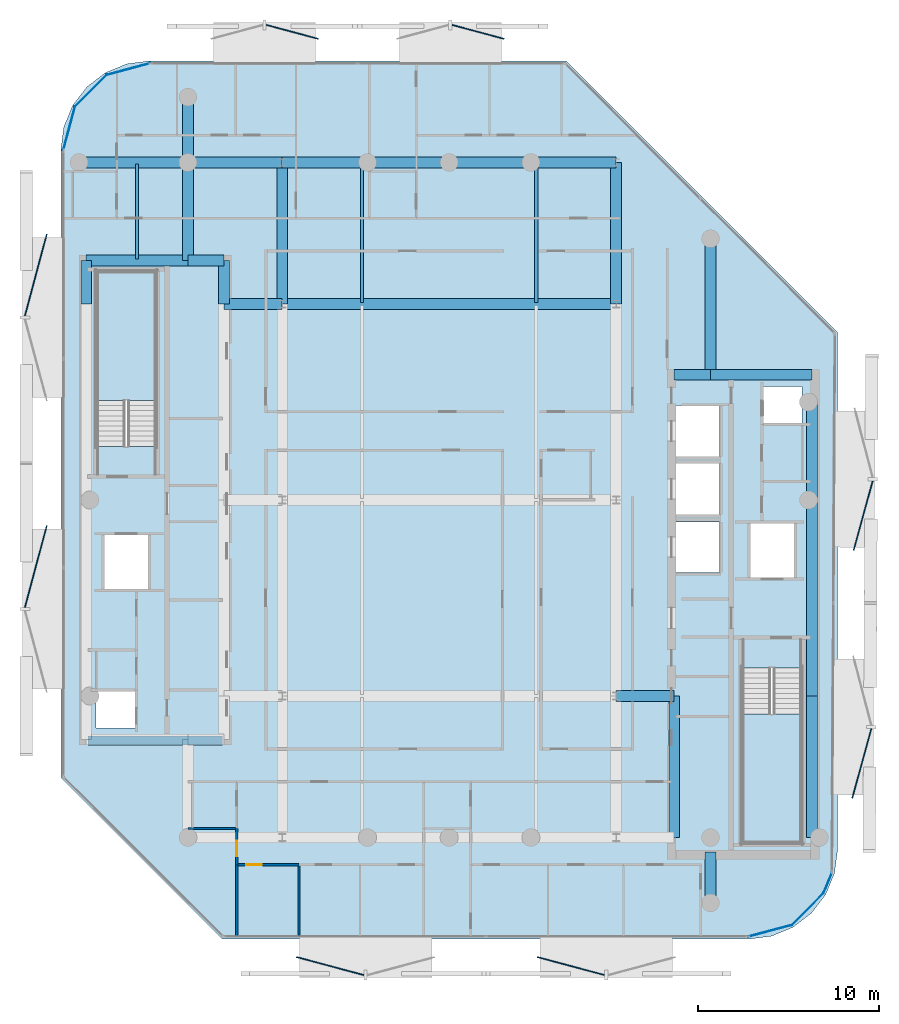
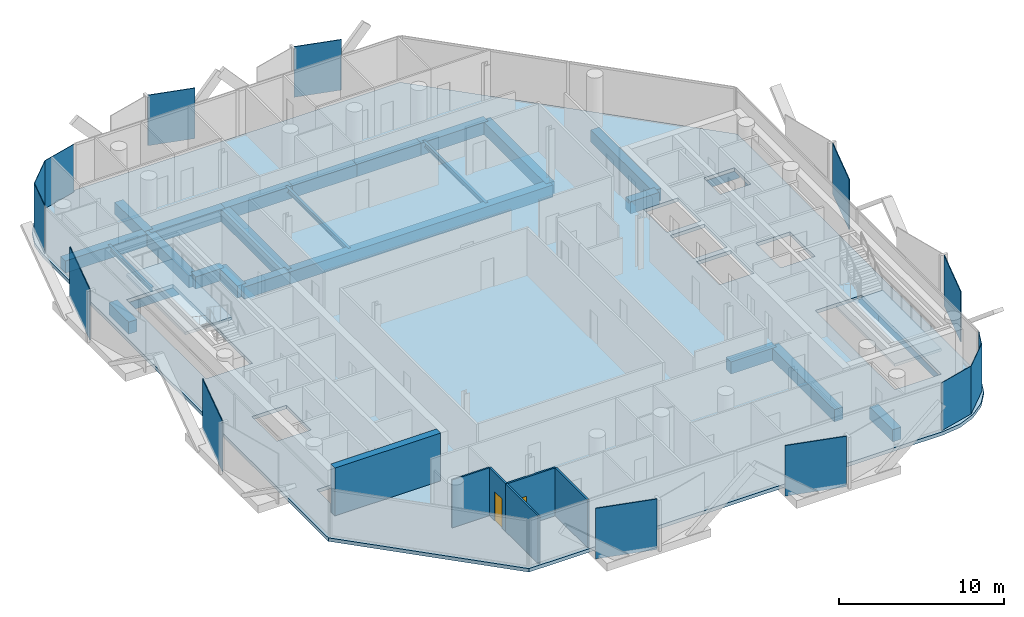
# One storey, part 3 of 17: 28 beams, 14 plates, 6 walls, 3 slabs, 2 doors, 2 openings, 2 elements without a shape of their own.
"""IFC4 building model written with IfcOpenShell, lengths in metres."""

from ifc_helpers import new_model, si_unit, direction, frame, frame_2d, origin, origin_2d, place, context, subcontext, project, spatial, polyline, rectangle, i_section, outline, extrude, material, layer, layer_set, material_profile, profile_set, type_object, element, fill, aggregate, save


model = new_model("IFC4")

# Units and contexts
model_context = context("Model", 3, precision=1e-05, world=origin(), true_north=direction((0.0, 1.0)))
body_context = subcontext(model_context, "Body", "Model", "MODEL_VIEW")
ifc_project = project(units=[si_unit("LENGTHUNIT", "METRE"), si_unit("AREAUNIT", "SQUARE_METRE"), si_unit("VOLUMEUNIT", "CUBIC_METRE"), si_unit("PLANEANGLEUNIT", "RADIAN"), si_unit("MASSUNIT", "GRAM", prefix="KILO")], contexts=[model_context])

# Site, building, storey
site_placement = place(None, origin())
site = spatial("IfcSite", under=ifc_project, at=site_placement, CompositionType="ELEMENT")
building_placement = place(site_placement, origin())
building = spatial("IfcBuilding", under=site, at=building_placement, Name="Khairoan Windgate Tower", CompositionType="ELEMENT")
storey_placement = place(building_placement, frame((0.0, 0.0, 308.0)))
storey = spatial("IfcBuildingStorey", under=building, at=storey_placement, Name="L74", CompositionType="ELEMENT", Elevation=308.0)

# Beams
ifc_material_1 = material(Name="Concrete C50/60", Category="concrete")
ifc_material_profile_1 = material_profile(ifc_material_1, rectangle(XDim=0.60009765625, YDim=0.89990234375, at=origin_2d()))
ifc_profile_set_1 = profile_set([ifc_material_profile_1], Name="Concrete C50/60")
beam_type_1 = type_object("IfcBeamType", Name="Beam B-RC1 RC600x900", PredefinedType="BEAM", material=ifc_profile_set_1)
beam_1_placement = place(storey_placement, frame((9.199951171875, -10.800048828125, -0.7099609375), z_axis=(1.0, 0.0, 0.0), x_axis=(0.0, 1.0, 0.0)))
element("IfcBeam", 1, at=beam_1_placement, inside=storey, type_object=beam_type_1, Name="L74 E-W Primary Girder 11", PredefinedType="BEAM", context=body_context, shape_type="SweptSolid", body=[
    extrude(rectangle(XDim=0.60009765625, YDim=0.89990234375, at=origin_2d()), origin(), (0.0, 0.0, 1.0), 3.199951171875),
])
beam_2_placement = place(storey_placement, frame((12.39990234375, 6.89990234375, -0.7099609375), z_axis=(1.0, 0.0, 0.0), x_axis=(0.0, 1.0, 0.0)))
element("IfcBeam", 2, at=beam_2_placement, inside=storey, type_object=beam_type_1, Name="L74 E-W Primary Girder 14", PredefinedType="BEAM", context=body_context, shape_type="SweptSolid", body=[
    extrude(rectangle(XDim=0.60009765625, YDim=0.89990234375, at=origin_2d()), origin(), (0.0, 0.0, 1.0), 2.0),
])
beam_3_placement = place(storey_placement, frame((14.39990234375, 6.89990234375, -0.7099609375), z_axis=(1.0, 0.0, 0.0), x_axis=(0.0, 1.0, 0.0)))
element("IfcBeam", 3, at=beam_3_placement, inside=storey, type_object=beam_type_1, Name="L74 E-W Primary Girder 15", PredefinedType="BEAM", context=body_context, shape_type="SweptSolid", body=[
    extrude(rectangle(XDim=0.60009765625, YDim=0.89990234375, at=origin_2d()), origin(), (0.0, 0.0, 1.0), 5.60009765625),
])
beam_4_placement = place(storey_placement, frame((-12.39990234375, 10.800048828125, -0.7099609375), z_axis=(1.0, 0.0, 0.0), x_axis=(0.0, 1.0, 0.0)))
element("IfcBeam", 4, at=beam_4_placement, inside=storey, type_object=beam_type_1, Name="L74 E-W Primary Girder 16", PredefinedType="BEAM", context=body_context, shape_type="SweptSolid", body=[
    extrude(rectangle(XDim=0.60009765625, YDim=0.89990234375, at=origin_2d()), origin(), (0.0, 0.0, 1.0), 3.199951171875),
])
beam_5_placement = place(storey_placement, frame((-9.199951171875, 10.800048828125, -0.7099609375), z_axis=(1.0, 0.0, 0.0), x_axis=(0.0, 1.0, 0.0)))
element("IfcBeam", 5, at=beam_5_placement, inside=storey, type_object=beam_type_1, Name="L74 E-W Primary Girder 17", PredefinedType="BEAM", context=body_context, shape_type="SweptSolid", body=[
    extrude(rectangle(XDim=0.60009765625, YDim=0.89990234375, at=origin_2d()), origin(), (0.0, 0.0, 1.0), 18.39990234375),
])
beam_6_placement = place(storey_placement, frame((-20.0, 13.199951171875, -0.7099609375), z_axis=(1.0, 0.0, 0.0), x_axis=(0.0, 1.0, 0.0)))
element("IfcBeam", 6, at=beam_6_placement, inside=storey, type_object=beam_type_1, Name="L74 E-W Primary Girder 18", PredefinedType="BEAM", context=body_context, shape_type="SweptSolid", body=[
    extrude(rectangle(XDim=0.60009765625, YDim=0.89990234375, at=origin_2d()), origin(), (0.0, 0.0, 1.0), 5.60009765625),
])
beam_7_placement = place(storey_placement, frame((-14.39990234375, 13.199951171875, -0.7099609375), z_axis=(1.0, 0.0, 0.0), x_axis=(0.0, 1.0, 0.0)))
element("IfcBeam", 7, at=beam_7_placement, inside=storey, type_object=beam_type_1, Name="L74 E-W Primary Girder 19", PredefinedType="BEAM", context=body_context, shape_type="SweptSolid", body=[
    extrude(rectangle(XDim=0.60009765625, YDim=0.89990234375, at=origin_2d()), origin(), (0.0, 0.0, 1.0), 2.0),
])
beam_8_placement = place(storey_placement, frame((-20.39990234375, 18.60009765625, -0.7099609375), z_axis=(1.0, 0.0, 0.0), x_axis=(0.0, 1.0, 0.0)))
element("IfcBeam", 8, at=beam_8_placement, inside=storey, type_object=beam_type_1, Name="L74 E-W Primary Girder 20", PredefinedType="BEAM", context=body_context, shape_type="SweptSolid", body=[
    extrude(rectangle(XDim=0.60009765625, YDim=0.89990234375, at=origin_2d()), origin(), (0.0, 0.0, 1.0), 6.0),
])
beam_9_placement = place(storey_placement, frame((-14.39990234375, 18.60009765625, -0.7099609375), z_axis=(1.0, 0.0, 0.0), x_axis=(0.0, 1.0, 0.0)))
element("IfcBeam", 9, at=beam_9_placement, inside=storey, type_object=beam_type_1, Name="L74 E-W Primary Girder 21", PredefinedType="BEAM", context=body_context, shape_type="SweptSolid", body=[
    extrude(rectangle(XDim=0.60009765625, YDim=0.89990234375, at=origin_2d()), origin(), (0.0, 0.0, 1.0), 5.199951171875),
])
beam_10_placement = place(storey_placement, frame((-9.199951171875, 18.60009765625, -0.7099609375), z_axis=(1.0, 0.0, 0.0), x_axis=(0.0, 1.0, 0.0)))
element("IfcBeam", 10, at=beam_10_placement, inside=storey, type_object=beam_type_1, Name="L74 E-W Primary Girder 22", PredefinedType="BEAM", context=body_context, shape_type="SweptSolid", body=[
    extrude(rectangle(XDim=0.60009765625, YDim=0.89990234375, at=origin_2d()), origin(), (0.0, 0.0, 1.0), 4.699951171875),
])
for number, where, z_axis, x_axis, name in (
    (11, (-4.5, 18.60009765625, -0.7099609375), (1.0, 0.0, 0.0), (0.0, 1.0, 0.0), "L74 E-W Primary Girder 23"),
    (12, (0.0, 18.60009765625, -0.7099609375), (1.0, 0.0, 0.0), (0.0, 1.0, 0.0), "L74 E-W Primary Girder 24"),
):
    element("IfcBeam", number, at=place(storey_placement, frame(where, z_axis=z_axis, x_axis=x_axis)), inside=storey, type_object=beam_type_1, Name=name, PredefinedType="BEAM", context=body_context, shape_type="SweptSolid", body=[
        extrude(rectangle(XDim=0.60009765625, YDim=0.89990234375, at=origin_2d()), origin(), (0.0, 0.0, 1.0), 4.5),
    ])
beam_11_placement = place(storey_placement, frame((4.5, 18.60009765625, -0.7099609375), z_axis=(1.0, 0.0, 0.0), x_axis=(0.0, 1.0, 0.0)))
element("IfcBeam", 13, at=beam_11_placement, inside=storey, type_object=beam_type_1, Name="L74 E-W Primary Girder 25", PredefinedType="BEAM", context=body_context, shape_type="SweptSolid", body=[
    extrude(rectangle(XDim=0.60009765625, YDim=0.89990234375, at=origin_2d()), origin(), (0.0, 0.0, 1.0), 4.699951171875),
])
beam_12_placement = place(storey_placement, frame((-20.0, 10.800048828125, -0.7099609375), z_axis=(0.0, 1.0, 0.0), x_axis=(-1.0, 0.0, 0.0)))
element("IfcBeam", 14, at=beam_12_placement, inside=storey, type_object=beam_type_1, Name="L74 N-S Primary Beam 29", PredefinedType="BEAM", context=body_context, shape_type="SweptSolid", body=[
    extrude(rectangle(XDim=0.60009765625, YDim=0.89990234375, at=origin_2d()), origin(), (0.0, 0.0, 1.0), 2.39990234375),
])
beam_13_placement = place(storey_placement, frame((-14.39990234375, 13.199951171875, -0.7099609375), z_axis=(0.0, 1.0, 0.0), x_axis=(-1.0, 0.0, 0.0)))
element("IfcBeam", 15, at=beam_13_placement, inside=storey, type_object=beam_type_1, Name="L74 N-S Primary Beam 31", PredefinedType="BEAM", context=body_context, shape_type="SweptSolid", body=[
    extrude(rectangle(XDim=0.60009765625, YDim=0.89990234375, at=origin_2d()), origin(), (0.0, 0.0, 1.0), 5.400146484375),
])
beam_14_placement = place(storey_placement, frame((-14.39990234375, 18.60009765625, -0.7099609375), z_axis=(0.0, 1.0, 0.0), x_axis=(-1.0, 0.0, 0.0)))
element("IfcBeam", 16, at=beam_14_placement, inside=storey, type_object=beam_type_1, Name="L74 N-S Primary Beam 32", PredefinedType="BEAM", context=body_context, shape_type="SweptSolid", body=[
    extrude(rectangle(XDim=0.60009765625, YDim=0.89990234375, at=origin_2d()), origin(), (0.0, 0.0, 1.0), 3.599853515625),
])
beam_15_placement = place(storey_placement, frame((-12.39990234375, 10.800048828125, -0.7099609375), z_axis=(0.0, 1.0, 0.0), x_axis=(-1.0, 0.0, 0.0)))
element("IfcBeam", 17, at=beam_15_placement, inside=storey, type_object=beam_type_1, Name="L74 N-S Primary Beam 36", PredefinedType="BEAM", context=body_context, shape_type="SweptSolid", body=[
    extrude(rectangle(XDim=0.60009765625, YDim=0.89990234375, at=origin_2d()), origin(), (0.0, 0.0, 1.0), 2.39990234375),
])
for number, where, z_axis, x_axis, name in (
    (18, (-9.199951171875, 10.800048828125, -0.7099609375), (0.0, 1.0, 0.0), (-1.0, 0.0, 0.0), "L74 N-S Primary Beam 40"),
    (19, (9.199951171875, 10.800048828125, -0.7099609375), (0.0, 1.0, 0.0), (-1.0, 0.0, 0.0), "L74 N-S Primary Beam 44"),
    (20, (12.39990234375, -18.60009765625, -0.7099609375), (0.0, 1.0, 0.0), (-1.0, 0.0, 0.0), "L74 N-S Primary Beam 45"),
):
    element("IfcBeam", number, at=place(storey_placement, frame(where, z_axis=z_axis, x_axis=x_axis)), inside=storey, type_object=beam_type_1, Name=name, PredefinedType="BEAM", context=body_context, shape_type="SweptSolid", body=[
        extrude(rectangle(XDim=0.60009765625, YDim=0.89990234375, at=origin_2d()), origin(), (0.0, 0.0, 1.0), 7.800048828125),
    ])
beam_16_placement = place(storey_placement, frame((14.39990234375, -22.199951171875, -0.7099609375), z_axis=(0.0, 1.0, 0.0), x_axis=(-1.0, 0.0, 0.0)))
element("IfcBeam", 21, at=beam_16_placement, inside=storey, type_object=beam_type_1, Name="L74 N-S Primary Beam 46", PredefinedType="BEAM", context=body_context, shape_type="SweptSolid", body=[
    extrude(rectangle(XDim=0.60009765625, YDim=0.89990234375, at=origin_2d()), origin(), (0.0, 0.0, 1.0), 2.800048828125),
])
beam_17_placement = place(storey_placement, frame((14.39990234375, 6.89990234375, -0.7099609375), z_axis=(0.0, 1.0, 0.0), x_axis=(-1.0, 0.0, 0.0)))
element("IfcBeam", 22, at=beam_17_placement, inside=storey, type_object=beam_type_1, Name="L74 N-S Primary Beam 47", PredefinedType="BEAM", context=body_context, shape_type="SweptSolid", body=[
    extrude(rectangle(XDim=0.60009765625, YDim=0.89990234375, at=origin_2d()), origin(), (0.0, 0.0, 1.0), 7.5),
])
beam_18_placement = place(storey_placement, frame((20.0, -18.60009765625, -0.7099609375), z_axis=(0.0, 1.0, 0.0), x_axis=(-1.0, 0.0, 0.0)))
element("IfcBeam", 23, at=beam_18_placement, inside=storey, type_object=beam_type_1, Name="L74 N-S Primary Beam 48", PredefinedType="BEAM", context=body_context, shape_type="SweptSolid", body=[
    extrude(rectangle(XDim=0.60009765625, YDim=0.89990234375, at=origin_2d()), origin(), (0.0, 0.0, 1.0), 7.800048828125),
])
beam_19_placement = place(storey_placement, frame((20.0, -10.800048828125, -0.7099609375), z_axis=(0.0, 1.0, 0.0), x_axis=(-1.0, 0.0, 0.0)))
element("IfcBeam", 24, at=beam_19_placement, inside=storey, type_object=beam_type_1, Name="L74 N-S Primary Beam 49", PredefinedType="BEAM", context=body_context, shape_type="SweptSolid", body=[
    extrude(rectangle(XDim=0.60009765625, YDim=0.89990234375, at=origin_2d()), origin(), (0.0, 0.0, 1.0), 10.800048828125),
])
beam_20_placement = place(storey_placement, frame((20.0, 0.0, -0.7099609375), z_axis=(0.0, 1.0, 0.0), x_axis=(-1.0, 0.0, 0.0)))
element("IfcBeam", 25, at=beam_20_placement, inside=storey, type_object=beam_type_1, Name="L74 N-S Primary Beam 50", PredefinedType="BEAM", context=body_context, shape_type="SweptSolid", body=[
    extrude(rectangle(XDim=0.60009765625, YDim=0.89990234375, at=origin_2d()), origin(), (0.0, 0.0, 1.0), 5.39990234375),
])
ifc_material_2 = material(Name="Steel S355", Category="steel")
ifc_material_profile_2 = material_profile(ifc_material_2, i_section(OverallWidth=0.175048828125, OverallDepth=0.35009765625, WebThickness=0.007080078125, FlangeThickness=0.010986328125, FilletRadius=0.013916015625, at=origin_2d()))
ifc_profile_set_2 = profile_set([ifc_material_profile_2], Name="Steel S355")
beam_type_2 = type_object("IfcBeamType", Name="Beam J-S5 H350x175x7x11", PredefinedType="JOIST", material=ifc_profile_set_2)
beam_21_placement = place(storey_placement, frame((-17.199951171875, 13.2900390625, -0.43505859375), z_axis=(0.0, 1.0, 0.0), x_axis=(-1.0, 0.0, 0.0)))
element("IfcBeam", 26, at=beam_21_placement, inside=storey, type_object=beam_type_2, Name="L74 Secondary Floor Joist 01", PredefinedType="JOIST", context=body_context, shape_type="SweptSolid", body=[
    extrude(i_section(OverallWidth=0.175048828125, OverallDepth=0.35009765625, WebThickness=0.007080078125, FlangeThickness=0.010986328125, FilletRadius=0.013916015625, at=origin_2d()), origin(), (0.0, 0.0, 1.0), 5.219970703125),
])
for number, where, z_axis, x_axis, name in (
    (27, (-4.800048828125, 10.889892578125, -0.43505859375), (0.0, 1.0, 0.0), (-1.0, 0.0, 0.0), "L74 Secondary Floor Joist 05"),
    (28, (4.800048828125, 10.889892578125, -0.43505859375), (0.0, 1.0, 0.0), (-1.0, 0.0, 0.0), "L74 Secondary Floor Joist 09"),
):
    element("IfcBeam", number, at=place(storey_placement, frame(where, z_axis=z_axis, x_axis=x_axis)), inside=storey, type_object=beam_type_2, Name=name, PredefinedType="JOIST", context=body_context, shape_type="SweptSolid", body=[
        extrude(i_section(OverallWidth=0.175048828125, OverallDepth=0.35009765625, WebThickness=0.007080078125, FlangeThickness=0.010986328125, FilletRadius=0.013916015625, at=origin_2d()), origin(), (0.0, 0.0, 1.0), 7.6201171875),
    ])

# Plates
ifc_material_3 = material(Name="Low-E Solar Control Laminated Glass", Category="glass")
ifc_layer_1 = layer(ifc_material_3, 0.030029296875, Name="Low-E Solar Control Laminated Glass")
ifc_layer_set_1 = layer_set([ifc_layer_1], Name="Low-E Solar Control Laminated Glass")
plate_type_1 = type_object("IfcPlateType", Name="Aerodynamic Wind-Corner Curved Glazing Plate", PredefinedType="USERDEFINED", material=ifc_layer_set_1)
plate_1_placement = place(storey_placement, frame((-20.940673828125, 20.485107421875, 0.0), z_axis=(0.0, 0.0, 1.0), x_axis=(0.258313252067, 0.966061211211, 0.0)))
element("IfcPlate", 29, at=plate_1_placement, inside=storey, type_object=plate_type_1, Name="L74 Aerodynamic Wind-Corner Curved Glazing Panel 4", ObjectType="GLAZING PANEL", PredefinedType="USERDEFINED", context=body_context, shape_type="SweptSolid", body=[
    extrude(rectangle(XDim=2.512451171875, YDim=0.035888671875, at=origin_2d()), origin(), (0.0, 0.0, 1.0), 3.5400390625),
])
plate_2_placement = place(storey_placement, frame((-19.750244140625, 22.55029296875, 0.0), z_axis=(0.0, 0.0, 1.0), x_axis=(0.707106781187, 0.707106781187, 0.0)))
element("IfcPlate", 30, at=plate_2_placement, inside=storey, type_object=plate_type_1, Name="L74 Aerodynamic Wind-Corner Curved Glazing Panel 5", ObjectType="GLAZING PANEL", PredefinedType="USERDEFINED", context=body_context, shape_type="SweptSolid", body=[
    extrude(rectangle(XDim=2.50341796875, YDim=0.035888671875, at=origin_2d()), origin(), (0.0, 0.0, 1.0), 3.5400390625),
])
plate_3_placement = place(storey_placement, frame((-17.68505859375, 23.740478515625, 0.0), z_axis=(0.0, 0.0, 1.0), x_axis=(0.966061211211, 0.258313252067, 0.0)))
element("IfcPlate", 31, at=plate_3_placement, inside=storey, type_object=plate_type_1, Name="L74 Aerodynamic Wind-Corner Curved Glazing Panel 6", ObjectType="GLAZING PANEL", PredefinedType="USERDEFINED", context=body_context, shape_type="SweptSolid", body=[
    extrude(rectangle(XDim=2.512451171875, YDim=0.035888671875, at=origin_2d()), origin(), (0.0, 0.0, 1.0), 3.5400390625),
])
plate_4_placement = place(storey_placement, frame((20.85888671875, -21.105712890625, 0.0), z_axis=(0.0, 0.0, 1.0), x_axis=(-0.382683432365, -0.923879532511, 0.0)))
element("IfcPlate", 32, at=plate_4_placement, inside=storey, type_object=plate_type_1, Name="L74 Aerodynamic Wind-Corner Curved Glazing Panel 10", ObjectType="GLAZING PANEL", PredefinedType="USERDEFINED", context=body_context, shape_type="SweptSolid", body=[
    extrude(rectangle(XDim=1.2822265625, YDim=0.035888671875, at=origin_2d()), origin(), (0.0, 0.0, 1.0), 3.5400390625),
])
plate_5_placement = place(storey_placement, frame((19.750244140625, -22.55029296875, 0.0), z_axis=(0.0, 0.0, 1.0), x_axis=(-0.707106781187, -0.707106781187, 0.0)))
element("IfcPlate", 33, at=plate_5_placement, inside=storey, type_object=plate_type_1, Name="L74 Aerodynamic Wind-Corner Curved Glazing Panel 11", ObjectType="GLAZING PANEL", PredefinedType="USERDEFINED", context=body_context, shape_type="SweptSolid", body=[
    extrude(rectangle(XDim=2.50341796875, YDim=0.035888671875, at=origin_2d()), origin(), (0.0, 0.0, 1.0), 3.5400390625),
])
plate_6_placement = place(storey_placement, frame((17.68505859375, -23.740478515625, 0.0), z_axis=(0.0, 0.0, 1.0), x_axis=(-0.966061211211, -0.258313252067, 0.0)))
element("IfcPlate", 34, at=plate_6_placement, inside=storey, type_object=plate_type_1, Name="L74 Aerodynamic Wind-Corner Curved Glazing Panel 12", ObjectType="GLAZING PANEL", PredefinedType="USERDEFINED", context=body_context, shape_type="SweptSolid", body=[
    extrude(rectangle(XDim=2.512451171875, YDim=0.035888671875, at=origin_2d()), origin(), (0.0, 0.0, 1.0), 3.5400390625),
])
ifc_material_4 = material(Name="Anodised Bronze Aluminium 6063-T6", Category="aluminium")
ifc_layer_2 = layer(ifc_material_4, 0.054931640625, Name="Anodised Bronze Aluminium 6063-T6")
ifc_layer_set_2 = layer_set([ifc_layer_2], Name="Anodised Bronze Aluminium 6063-T6")
plate_type_2 = type_object("IfcPlateType", Name="Perforated Bronze Solar Screen Upper Panel BSP-2", PredefinedType="USERDEFINED", material=ifc_layer_set_2)
for number, where, z_axis, x_axis, name in (
    (35, (6.709716796875, -25.68212890625, -0.10009765625), (0.0, 0.0, 1.0), (-0.965925826289, 0.258819045103, 0.0), "L74 Perforated Bronze Solar Screen Panel 518R"),
    (36, (-6.556884765625, -25.68212890625, -0.10009765625), (0.0, 0.0, 1.0), (-0.965925826289, 0.258819045103, 0.0), "L74 Perforated Bronze Solar Screen Panel 519R"),
):
    element("IfcPlate", number, at=place(storey_placement, frame(where, z_axis=z_axis, x_axis=x_axis)), inside=storey, type_object=plate_type_2, Name=name, ObjectType="SCREEN", PredefinedType="USERDEFINED", context=body_context, shape_type="SweptSolid", body=[
        extrude(rectangle(XDim=3.846923828125, YDim=0.054931640625, at=origin_2d()), origin(), (0.0, 0.0, 1.0), 3.739990234375),
    ])
for number, where, z_axis, x_axis, name in (
    (37, (-22.777099609375, -3.668701171875, -0.10009765625), (0.0, 0.0, 1.0), (0.258819045103, 0.965925826289, 0.0), "L74 Perforated Bronze Solar Screen Panel 520R"),
    (38, (-22.777099609375, 12.397705078125, -0.10009765625), (0.0, 0.0, 1.0), (0.258819045103, 0.965925826289, 0.0), "L74 Perforated Bronze Solar Screen Panel 521R"),
):
    element("IfcPlate", number, at=place(storey_placement, frame(where, z_axis=z_axis, x_axis=x_axis)), inside=storey, type_object=plate_type_2, Name=name, ObjectType="SCREEN", PredefinedType="USERDEFINED", context=body_context, shape_type="SweptSolid", body=[
        extrude(rectangle(XDim=4.658935546875, YDim=0.054931640625, at=origin_2d()), origin(), (0.0, 0.0, 1.0), 3.739990234375),
    ])
for number, where, z_axis, x_axis, name in (
    (39, (-8.648681640625, 25.7958984375, -0.10009765625), (0.0, 0.0, 1.0), (0.965925826289, -0.258819045103, 0.0), "L74 Perforated Bronze Solar Screen Panel 522R"),
    (40, (1.587646484375, 25.7958984375, -0.10009765625), (0.0, 0.0, 1.0), (0.965925826289, -0.258819045103, 0.0), "L74 Perforated Bronze Solar Screen Panel 523R"),
):
    element("IfcPlate", number, at=place(storey_placement, frame(where, z_axis=z_axis, x_axis=x_axis)), inside=storey, type_object=plate_type_2, Name=name, ObjectType="SCREEN", PredefinedType="USERDEFINED", context=body_context, shape_type="SweptSolid", body=[
        extrude(rectangle(XDim=2.968994140625, YDim=0.054931640625, at=origin_2d()), origin(), (0.0, 0.0, 1.0), 3.739990234375),
    ])
for number, where, z_axis, x_axis, name in (
    (41, (22.812255859375, -0.858154296875, -0.10009765625), (0.0, 0.0, 1.0), (-0.264209727938, -0.964465250625, 0.0), "L74 Perforated Bronze Solar Screen Panel 524R"),
    (42, (22.737060546875, -14.51513671875, -0.10009765625), (0.0, 0.0, 1.0), (-0.264209727938, -0.964465250625, 0.0), "L74 Perforated Bronze Solar Screen Panel 525R"),
):
    element("IfcPlate", number, at=place(storey_placement, frame(where, z_axis=z_axis, x_axis=x_axis)), inside=storey, type_object=plate_type_2, Name=name, ObjectType="SCREEN", PredefinedType="USERDEFINED", context=body_context, shape_type="SweptSolid", body=[
        extrude(rectangle(XDim=3.9609375, YDim=0.054931640625, at=origin_2d()), origin(), (0.0, 0.0, 1.0), 3.739990234375),
    ])

# Stair, slab
ifc_material_5 = material(Name="Concrete C40/50", Category="concrete")
stair_type = type_object("IfcStairType", Name="Tower Core Dog-Leg Stair ST-T1 1560mm", PredefinedType="HALF_TURN_STAIR", material=ifc_material_5)
stair_1_placement = place(storey_placement, origin())
stair_1 = element("IfcStair", 43, at=stair_1_placement, inside=storey, type_object=stair_type, Name="L74 Stair ST1", PredefinedType="HALF_TURN_STAIR")
ifc_material_6 = material(Name="Concrete C40/50", Category="concrete")
ifc_layer_3 = layer(ifc_material_6, 0.199951171875, Name="Concrete C40/50")
ifc_layer_set_3 = layer_set([ifc_layer_3], Name="Concrete C40/50")
slab_type_1 = type_object("IfcSlabType", Name="Reinforced Concrete Stair Landing Slab STL-200", PredefinedType="LANDING", material=ifc_layer_set_3)
slab_1_placement = place(storey_placement, frame((0.0, 0.0, 1.699951171875)))
slab_1 = element("IfcSlab", 44, at=slab_1_placement, type_object=slab_type_1, Name="ST1 landing 1", PredefinedType="LANDING", context=body_context, shape_type="SweptSolid", body=[
    extrude(outline(polyline([(16.14990234375, -11.780029296875), (16.14990234375, -18.89990234375), (19.419921875, -18.89990234375), (19.419921875, -11.780029296875), (16.14990234375, -11.780029296875)])), origin(), (0.0, 0.0, 1.0), 0.199951171875),
])
aggregate(stair_1, [slab_1])

stair_2_placement = place(storey_placement, origin())
stair_2 = element("IfcStair", 45, at=stair_2_placement, inside=storey, type_object=stair_type, Name="L74 Stair ST2", PredefinedType="HALF_TURN_STAIR")
slab_2_placement = place(storey_placement, frame((0.0, 0.0, 1.699951171875)))
slab_2 = element("IfcSlab", 46, at=slab_2_placement, type_object=slab_type_1, Name="ST2 landing 1", PredefinedType="LANDING", context=body_context, shape_type="SweptSolid", body=[
    extrude(outline(polyline([(-16.14990234375, 5.47998046875), (-16.14990234375, 12.60009765625), (-19.419921875, 12.60009765625), (-19.419921875, 5.47998046875), (-16.14990234375, 5.47998046875)])), origin(), (0.0, 0.0, 1.0), 0.199951171875),
])
aggregate(stair_2, [slab_2])

# Slab
ifc_material_7 = material(Name="Concrete C40/50", Category="concrete")
ifc_layer_4 = layer(ifc_material_7, 0.260009765625, Name="Concrete C40/50")
ifc_layer_set_4 = layer_set([ifc_layer_4], Name="Concrete C40/50")
slab_type_2 = type_object("IfcSlabType", Name="Tower Composite Floor Slab FS2 260mm", PredefinedType="FLOOR", material=ifc_layer_set_4)
slab_3_placement = place(storey_placement, frame((0.0, 0.0, -0.260009765625)))
element("IfcSlab", 47, at=slab_3_placement, inside=storey, type_object=slab_type_2, Name="L74 Structural Floor Slab", PredefinedType="FLOOR", context=body_context, shape_type="SweptSolid", body=[
    extrude(outline(polyline([(16.5, -24.199951171875), (17.768310546875, -24.032958984375), (18.949951171875, -23.54345703125), (19.96484375, -22.764892578125), (20.743408203125, -21.75), (21.23291015625, -20.568115234375), (21.39990234375, -19.300048828125), (21.39990234375, 9.239990234375), (6.43994140625, 24.199951171875), (-16.5, 24.199951171875), (-17.768310546875, 24.032958984375), (-18.949951171875, 23.54345703125), (-19.96484375, 22.764892578125), (-20.743408203125, 21.75), (-21.23291015625, 20.568115234375), (-21.39990234375, 19.300048828125), (-21.39990234375, -15.300048828125), (-12.5, -24.199951171875), (16.5, -24.199951171875)]), holes=[polyline([(16.14990234375, -9.260009765625), (16.14990234375, -18.89990234375), (19.419921875, -18.89990234375), (19.419921875, -9.260009765625), (16.14990234375, -9.260009765625)]), polyline([(-16.14990234375, 2.9599609375), (-16.14990234375, 12.60009765625), (-19.419921875, 12.60009765625), (-19.419921875, 2.9599609375), (-16.14990234375, 2.9599609375)]), polyline([(12.5, 2.39990234375), (14.89990234375, 2.39990234375), (14.89990234375, 5.199951171875), (12.5, 5.199951171875), (12.5, 2.39990234375)]), polyline([(12.5, -0.800048828125), (14.89990234375, -0.800048828125), (14.89990234375, 2.0), (12.5, 2.0), (12.5, -0.800048828125)]), polyline([(12.5, -4.0), (14.89990234375, -4.0), (14.89990234375, -1.199951171875), (12.5, -1.199951171875), (12.5, -4.0)]), polyline([(16.60009765625, -4.300048828125), (19.0, -4.300048828125), (19.0, -1.300048828125), (16.60009765625, -1.300048828125), (16.60009765625, -4.300048828125)]), polyline([(-19.0, -4.89990234375), (-16.60009765625, -4.89990234375), (-16.60009765625, -1.89990234375), (-19.0, -1.89990234375), (-19.0, -4.89990234375)]), polyline([(-19.449951171875, -12.550048828125), (-17.31005859375, -12.550048828125), (-17.31005859375, -10.550048828125), (-19.449951171875, -10.550048828125), (-19.449951171875, -12.550048828125)]), polyline([(17.31005859375, 4.25), (19.449951171875, 4.25), (19.449951171875, 6.25), (17.31005859375, 6.25), (17.31005859375, 4.25)])]), origin(), (0.0, 0.0, 1.0), 0.260009765625),
])

# Wall
ifc_material_8 = material(Name="Moisture-Resistant Gypsum Partition", Category="gypsum")
ifc_layer_5 = layer(ifc_material_8, 0.10009765625, Name="Moisture-Resistant Gypsum Partition")
ifc_layer_set_5 = layer_set([ifc_layer_5], Name="Moisture-Resistant Gypsum Partition")
wall_type_1 = type_object("IfcWallType", Name="Bathroom Wet-Area Partition Wall", PredefinedType="PARTITIONING", material=ifc_layer_set_5)
wall_1_placement = place(storey_placement, frame((-14.3798828125, -18.10009765625, 0.0), z_axis=(0.0, 0.0, 1.0), x_axis=(1.0, 0.0, 0.0)))
element("IfcWall", 48, at=wall_1_placement, inside=storey, type_object=wall_type_1, Name="L74 Interior Partition 062", PredefinedType="PARTITIONING", context=body_context, shape_type="SweptSolid", body=[
    extrude(rectangle(XDim=2.619873046875, YDim=0.10009765625, at=frame_2d((1.31005859375, 0.0))), origin(), (0.0, 0.0, 1.0), 3.5400390625),
])

# Wall, opening, door
ifc_material_9 = material(Name="Gypsum Stud Partition", Category="gypsum")
ifc_layer_6 = layer(ifc_material_9, 0.1201171875, Name="Gypsum Stud Partition")
ifc_layer_set_6 = layer_set([ifc_layer_6], Name="Gypsum Stud Partition")
wall_type_2 = type_object("IfcWallType", Name="Internal Room Partition Wall", PredefinedType="PARTITIONING", material=ifc_layer_set_6)
wall_2_placement = place(storey_placement, frame((-11.7099609375, -20.10009765625, 0.0), z_axis=(0.0, 0.0, 1.0), x_axis=(0.0, 1.0, 0.0)))
wall_2 = element("IfcWall", 49, at=wall_2_placement, inside=storey, type_object=wall_type_2, Name="L74 Interior Partition 064", PredefinedType="PARTITIONING", context=body_context, shape_type="SweptSolid", body=[
    extrude(rectangle(XDim=2.0, YDim=0.1201171875, at=frame_2d((1.0, 0.0))), origin(), (0.0, 0.0, 1.0), 3.5400390625),
])
opening_1_placement = place(wall_2_placement, frame((0.4599609375, 0.0, 0.0)))
opening_1 = element("IfcOpeningElement", 50, at=opening_1_placement, cuts=wall_2, Name="Opening ID-RM", PredefinedType="OPENING", context=body_context, shape_type="SweptSolid", body=[
    extrude(rectangle(XDim=0.860107421875, YDim=2.14990234375, at=frame_2d((0.43017578125, 1.074951171875))), frame((0.0, 0.070068359375, 0.0), z_axis=(0.0, -1.0, 0.0), x_axis=(1.0, 0.0, 0.0)), (0.0, 0.0, 1.0), 0.14013671875),
])
ifc_material_10 = material(Name="Teak Veneer Timber Leaf", Category="wood")
door_type = type_object("IfcDoorType", Name="Internal Bedroom and Office Door ID-RM 860x2150", OperationType="NOTDEFINED", PredefinedType="DOOR", material=ifc_material_10)
door_1_placement = place(opening_1_placement, origin())
door_1 = element("IfcDoor", 51, at=door_1_placement, inside=storey, type_object=door_type, Name="L74 L74-49-L74-50 Door", OperationType="SINGLE_SWING_LEFT", OverallHeight=2.14990234375, OverallWidth=0.860107421875, PredefinedType="DOOR", context=body_context, shape_type="SweptSolid", body=[
    extrude(rectangle(XDim=0.860107421875, YDim=2.14990234375, at=frame_2d((0.43017578125, 1.074951171875))), frame((0.0, 0.02490234375, 0.0), z_axis=(0.0, -1.0, 0.0), x_axis=(1.0, 0.0, 0.0)), (0.0, 0.0, 1.0), 0.050048828125),
])
fill(opening_1, door_1)

# Wall
wall_3_placement = place(storey_placement, frame((-11.7099609375, -24.054931640625, 0.0), z_axis=(0.0, 0.0, 1.0), x_axis=(0.0, 1.0, 0.0)))
element("IfcWall", 52, at=wall_3_placement, inside=storey, type_object=wall_type_2, Name="L74 Interior Partition 065", PredefinedType="PARTITIONING", context=body_context, shape_type="SweptSolid", body=[
    extrude(rectangle(XDim=3.954833984375, YDim=0.1201171875, at=frame_2d((1.9775390625, 0.0))), origin(), (0.0, 0.0, 1.0), 3.5400390625),
])

# Wall, opening, door
wall_4_placement = place(storey_placement, frame((-11.64990234375, -20.10009765625, 0.0), z_axis=(0.0, 0.0, 1.0), x_axis=(1.0, 0.0, 0.0)))
wall_4 = element("IfcWall", 53, at=wall_4_placement, inside=storey, type_object=wall_type_2, Name="L74 Interior Partition 066", PredefinedType="PARTITIONING", context=body_context, shape_type="SweptSolid", body=[
    extrude(rectangle(XDim=3.376953125, YDim=0.1201171875, at=frame_2d((1.6884765625, 0.0))), origin(), (0.0, 0.0, 1.0), 3.5400390625),
])
opening_2_placement = place(wall_4_placement, frame((0.4599609375, 0.0, 0.0)))
opening_2 = element("IfcOpeningElement", 54, at=opening_2_placement, cuts=wall_4, Name="Opening ID-RM", PredefinedType="OPENING", context=body_context, shape_type="SweptSolid", body=[
    extrude(rectangle(XDim=0.860107421875, YDim=2.14990234375, at=frame_2d((0.43017578125, 1.074951171875))), frame((0.0, 0.070068359375, 0.0), z_axis=(0.0, -1.0, 0.0), x_axis=(1.0, 0.0, 0.0)), (0.0, 0.0, 1.0), 0.14013671875),
])
door_2_placement = place(opening_2_placement, origin())
door_2 = element("IfcDoor", 55, at=door_2_placement, inside=storey, type_object=door_type, Name="L74 L74-50-L74-51 Door", OperationType="SINGLE_SWING_RIGHT", OverallHeight=2.14990234375, OverallWidth=0.860107421875, PredefinedType="DOOR", context=body_context, shape_type="SweptSolid", body=[
    extrude(rectangle(XDim=0.860107421875, YDim=2.14990234375, at=frame_2d((0.43017578125, 1.074951171875))), frame((0.0, 0.02490234375, 0.0), z_axis=(0.0, -1.0, 0.0), x_axis=(1.0, 0.0, 0.0)), (0.0, 0.0, 1.0), 0.050048828125),
])
fill(opening_2, door_2)

# Walls
wall_5_placement = place(storey_placement, frame((-8.27294921875, -24.054931640625, 0.0), z_axis=(0.0, 0.0, 1.0), x_axis=(0.0, 1.0, 0.0)))
element("IfcWall", 56, at=wall_5_placement, inside=storey, type_object=wall_type_2, Name="L74 Interior Partition 071", PredefinedType="PARTITIONING", context=body_context, shape_type="SweptSolid", body=[
    extrude(rectangle(XDim=3.89501953125, YDim=0.1201171875, at=frame_2d((1.947509765625, 0.0))), origin(), (0.0, 0.0, 1.0), 3.5400390625),
])
ifc_material_11 = material(Name="Concrete C50/60", Category="concrete")
ifc_layer_7 = layer(ifc_material_11, 0.5, Name="Concrete C50/60")
ifc_layer_set_7 = layer_set([ifc_layer_7], Name="Concrete C50/60")
wall_type_3 = type_object("IfcWallType", Name="Shear Wall CW-W3 500mm", PredefinedType="SHEAR", material=ifc_layer_set_7)
wall_6_placement = place(storey_placement, frame((-19.89990234375, -13.25, 0.0), z_axis=(0.0, 0.0, 1.0), x_axis=(1.0, 0.0, 0.0)))
element("IfcWall", 57, at=wall_6_placement, inside=storey, type_object=wall_type_3, Name="W Core South Shear Wall L74", PredefinedType="SHEAR", context=body_context, shape_type="SweptSolid", body=[
    extrude(rectangle(XDim=7.39990234375, YDim=0.5, at=frame_2d((3.699951171875, 0.0))), origin(), (0.0, 0.0, 1.0), 3.5400390625),
])

save(model, "model.ifc")
